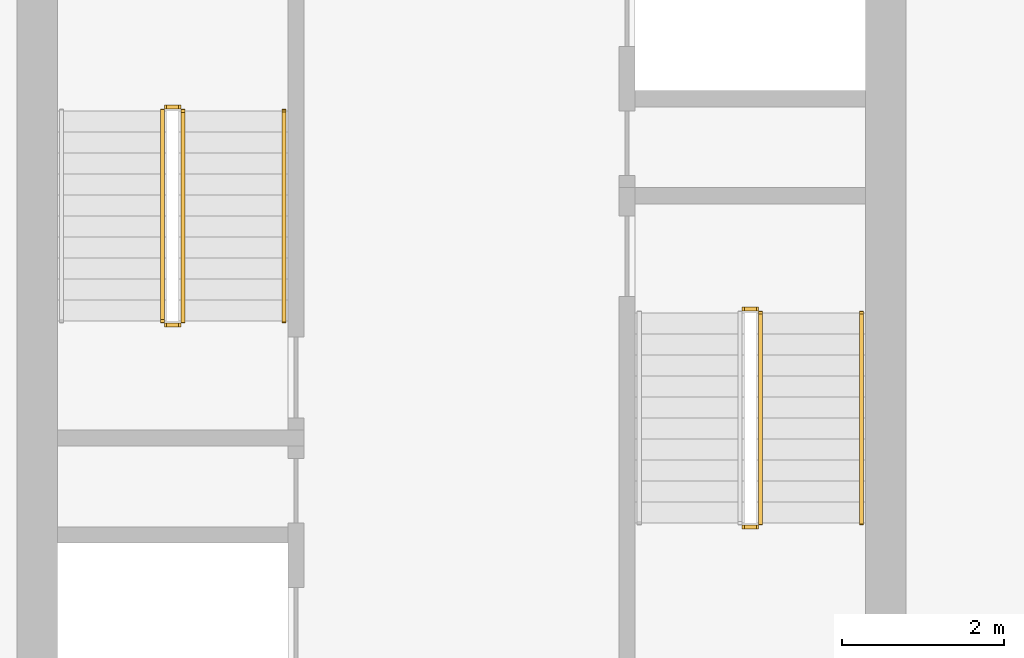
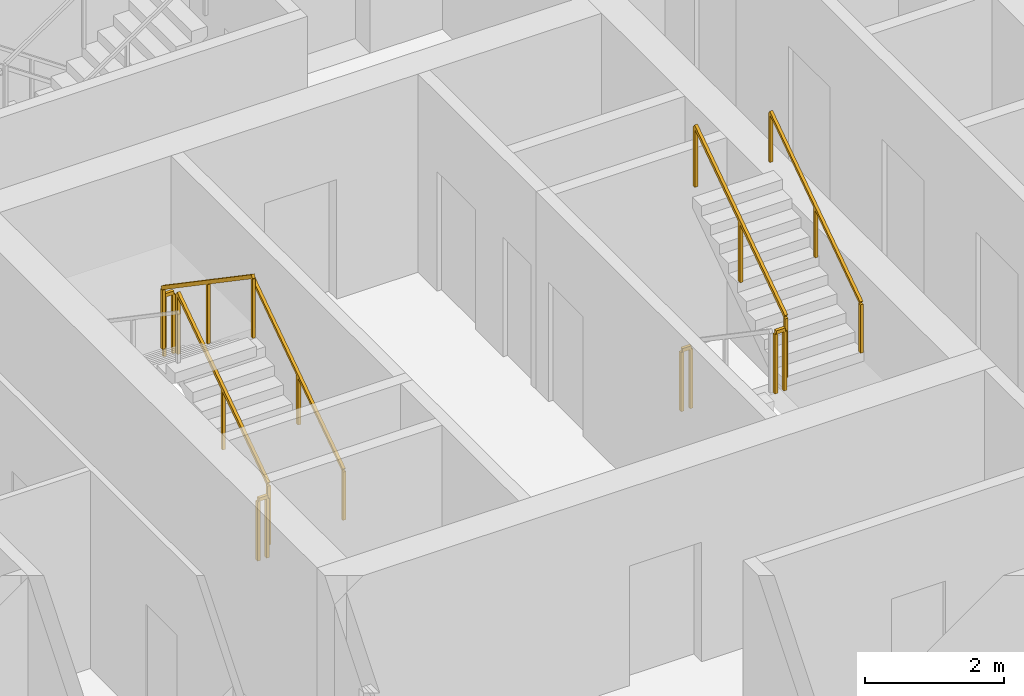
# One storey, part 13 of 16: 9 railings.
"""IFC4 building model written with IfcOpenShell, lengths in metres."""

from ifc_helpers import new_model, si_unit, direction, frame, origin, origin_2d, place, context, subcontext, project, spatial, rectangle, extrude, material, type_object, element, save


model = new_model("IFC4")

# Units and contexts
model_context = context("Model", 3, precision=1e-05, world=origin(), true_north=direction((0.0, 1.0)))
body_context = subcontext(model_context, "Body", "Model", "MODEL_VIEW")
ifc_project = project(units=[si_unit("LENGTHUNIT", "METRE"), si_unit("AREAUNIT", "SQUARE_METRE"), si_unit("VOLUMEUNIT", "CUBIC_METRE"), si_unit("PLANEANGLEUNIT", "RADIAN"), si_unit("MASSUNIT", "GRAM", prefix="KILO")], contexts=[model_context])

# Site, building, storey
site_placement = place(None, origin())
site = spatial("IfcSite", under=ifc_project, at=site_placement, CompositionType="ELEMENT")
building_placement = place(site_placement, origin())
building = spatial("IfcBuilding", under=site, at=building_placement, Name="Khepri Terraces", CompositionType="ELEMENT")
storey_placement = place(building_placement, frame((0.0, 0.0, 141.60009765625)))
storey = spatial("IfcBuildingStorey", under=building, at=storey_placement, Name="L33", CompositionType="ELEMENT", Elevation=141.60009765625)

# Railings
ifc_material = material(Name="Stainless steel 316", Category="steel")
railing_type_1 = type_object("IfcRailingType", Name="RL-CORE-GUARD", PredefinedType="GUARDRAIL", material=ifc_material)
railing_1_placement = place(storey_placement, frame((-3.449951171875, -0.050048828125, 0.17724609375)))
element("IfcRailing", 1, at=railing_1_placement, inside=storey, type_object=railing_type_1, Name="L33 ST-1 stair guard 1", PredefinedType="GUARDRAIL", context=body_context, shape_type="SweptSolid", body=[
    extrude(rectangle(XDim=0.050048828125, YDim=0.06005859375, at=origin_2d()), frame((0.0, 0.0, 1.070068359375), z_axis=(0.0, 0.826240473404, 0.563317565952), x_axis=(-1.0, 0.0, 0.0)), (0.0, 0.0, 1.0), 3.14697265625),
    extrude(rectangle(XDim=0.050048828125, YDim=0.050048828125, at=origin_2d()), origin(), (0.0, 0.0, 1.0), 1.0400390625),
    extrude(rectangle(XDim=0.050048828125, YDim=0.050048828125, at=origin_2d()), frame((0.0, 1.300048828125, 0.88623046875)), (0.0, 0.0, 1.0), 1.0400390625),
    extrude(rectangle(XDim=0.050048828125, YDim=0.050048828125, at=origin_2d()), frame((0.0, 2.60009765625, 1.772705078125)), (0.0, 0.0, 1.0), 1.0400390625),
])
railing_2_placement = place(storey_placement, frame((-3.5, 2.60009765625, 1.949951171875)))
element("IfcRailing", 2, at=railing_2_placement, inside=storey, type_object=railing_type_1, Name="L33 ST-1 stair guard 2", PredefinedType="GUARDRAIL", context=body_context, shape_type="SweptSolid", body=[
    extrude(rectangle(XDim=0.050048828125, YDim=0.06005859375, at=origin_2d()), frame((0.0, 0.0, 1.070068359375), z_axis=(-1.0, 0.0, 0.0), x_axis=(0.0, -1.0, 0.0)), (0.0, 0.0, 1.0), 0.14990234375),
    extrude(rectangle(XDim=0.050048828125, YDim=0.050048828125, at=origin_2d()), origin(), (0.0, 0.0, 1.0), 1.0400390625),
    extrude(rectangle(XDim=0.050048828125, YDim=0.050048828125, at=origin_2d()), frame((-0.14990234375, 0.0, 0.0)), (0.0, 0.0, 1.0), 1.0400390625),
])
railing_3_placement = place(storey_placement, frame((-3.699951171875, 2.550048828125, 2.127197265625)))
element("IfcRailing", 3, at=railing_3_placement, inside=storey, type_object=railing_type_1, Name="L33 ST-1 stair guard 3", PredefinedType="GUARDRAIL", context=body_context, shape_type="SweptSolid", body=[
    extrude(rectangle(XDim=0.050048828125, YDim=0.06005859375, at=origin_2d()), frame((0.0, 0.0, 1.070068359375), z_axis=(0.0, -0.826240473404, 0.563317565952), x_axis=(1.0, 0.0, 0.0)), (0.0, 0.0, 1.0), 3.14697265625),
    extrude(rectangle(XDim=0.050048828125, YDim=0.050048828125, at=origin_2d()), origin(), (0.0, 0.0, 1.0), 1.0400390625),
    extrude(rectangle(XDim=0.050048828125, YDim=0.050048828125, at=origin_2d()), frame((0.0, -1.300048828125, 0.88623046875)), (0.0, 0.0, 1.0), 1.0400390625),
    extrude(rectangle(XDim=0.050048828125, YDim=0.050048828125, at=origin_2d()), frame((0.0, -2.60009765625, 1.772705078125)), (0.0, 0.0, 1.0), 1.0400390625),
])
railing_4_placement = place(storey_placement, frame((-3.5, -0.10009765625, 0.0)))
element("IfcRailing", 4, at=railing_4_placement, inside=storey, type_object=railing_type_1, Name="L33 ST-1 stair guard 4", PredefinedType="GUARDRAIL", context=body_context, shape_type="SweptSolid", body=[
    extrude(rectangle(XDim=0.050048828125, YDim=0.06005859375, at=origin_2d()), frame((0.0, 0.0, 1.070068359375), z_axis=(-1.0, 0.0, 0.0), x_axis=(0.0, -1.0, 0.0)), (0.0, 0.0, 1.0), 0.14990234375),
    extrude(rectangle(XDim=0.050048828125, YDim=0.050048828125, at=origin_2d()), origin(), (0.0, 0.0, 1.0), 1.0400390625),
    extrude(rectangle(XDim=0.050048828125, YDim=0.050048828125, at=origin_2d()), frame((-0.14990234375, 0.0, 0.0)), (0.0, 0.0, 1.0), 1.0400390625),
])
railing_5_placement = place(storey_placement, frame((3.5, -2.60009765625, 1.949951171875)))
element("IfcRailing", 5, at=railing_5_placement, inside=storey, type_object=railing_type_1, Name="L33 ST-2 stair guard 2", PredefinedType="GUARDRAIL", context=body_context, shape_type="SweptSolid", body=[
    extrude(rectangle(XDim=0.050048828125, YDim=0.06005859375, at=origin_2d()), frame((0.0, 0.0, 1.070068359375), z_axis=(1.0, 0.0, 0.0), x_axis=(0.0, 1.0, 0.0)), (0.0, 0.0, 1.0), 0.14990234375),
    extrude(rectangle(XDim=0.050048828125, YDim=0.050048828125, at=origin_2d()), origin(), (0.0, 0.0, 1.0), 1.0400390625),
    extrude(rectangle(XDim=0.050048828125, YDim=0.050048828125, at=origin_2d()), frame((0.14990234375, 0.0, 0.0)), (0.0, 0.0, 1.0), 1.0400390625),
])
railing_6_placement = place(storey_placement, frame((3.699951171875, -2.550048828125, 2.127197265625)))
element("IfcRailing", 6, at=railing_6_placement, inside=storey, type_object=railing_type_1, Name="L33 ST-2 stair guard 3", PredefinedType="GUARDRAIL", context=body_context, shape_type="SweptSolid", body=[
    extrude(rectangle(XDim=0.050048828125, YDim=0.06005859375, at=origin_2d()), frame((0.0, 0.0, 1.070068359375), z_axis=(0.0, 0.826240473404, 0.563317565952), x_axis=(-1.0, 0.0, 0.0)), (0.0, 0.0, 1.0), 3.14697265625),
    extrude(rectangle(XDim=0.050048828125, YDim=0.050048828125, at=origin_2d()), origin(), (0.0, 0.0, 1.0), 1.0400390625),
    extrude(rectangle(XDim=0.050048828125, YDim=0.050048828125, at=origin_2d()), frame((0.0, 1.300048828125, 0.88623046875)), (0.0, 0.0, 1.0), 1.0400390625),
    extrude(rectangle(XDim=0.050048828125, YDim=0.050048828125, at=origin_2d()), frame((0.0, 2.60009765625, 1.772705078125)), (0.0, 0.0, 1.0), 1.0400390625),
])
railing_7_placement = place(storey_placement, frame((3.5, 0.10009765625, 0.0)))
element("IfcRailing", 7, at=railing_7_placement, inside=storey, type_object=railing_type_1, Name="L33 ST-2 stair guard 4", PredefinedType="GUARDRAIL", context=body_context, shape_type="SweptSolid", body=[
    extrude(rectangle(XDim=0.050048828125, YDim=0.06005859375, at=origin_2d()), frame((0.0, 0.0, 1.070068359375), z_axis=(1.0, 0.0, 0.0), x_axis=(0.0, 1.0, 0.0)), (0.0, 0.0, 1.0), 0.14990234375),
    extrude(rectangle(XDim=0.050048828125, YDim=0.050048828125, at=origin_2d()), origin(), (0.0, 0.0, 1.0), 1.0400390625),
    extrude(rectangle(XDim=0.050048828125, YDim=0.050048828125, at=origin_2d()), frame((0.14990234375, 0.0, 0.0)), (0.0, 0.0, 1.0), 1.0400390625),
])
railing_type_2 = type_object("IfcRailingType", Name="RL-CORE-HANDRAIL", PredefinedType="HANDRAIL", material=ifc_material)
for number, where, name in (
    (8, (-2.199951171875, -0.050048828125, 0.17724609375), "L33 ST-1 stair handrail 1"),
    (9, (4.949951171875, -2.550048828125, 2.127197265625), "L33 ST-2 stair handrail 2"),
):
    element("IfcRailing", number, at=place(storey_placement, frame(where)), inside=storey, type_object=railing_type_2, Name=name, PredefinedType="HANDRAIL", context=body_context, shape_type="SweptSolid", body=[
        extrude(rectangle(XDim=0.050048828125, YDim=0.050048828125, at=origin_2d()), frame((0.0, 0.0, 0.875), z_axis=(0.0, 0.826240473404, 0.563317565952), x_axis=(-1.0, 0.0, 0.0)), (0.0, 0.0, 1.0), 3.14697265625),
        extrude(rectangle(XDim=0.050048828125, YDim=0.050048828125, at=origin_2d()), origin(), (0.0, 0.0, 1.0), 0.849853515625),
        extrude(rectangle(XDim=0.050048828125, YDim=0.050048828125, at=origin_2d()), frame((0.0, 1.300048828125, 0.88623046875)), (0.0, 0.0, 1.0), 0.849853515625),
        extrude(rectangle(XDim=0.050048828125, YDim=0.050048828125, at=origin_2d()), frame((0.0, 2.60009765625, 1.772705078125)), (0.0, 0.0, 1.0), 0.849853515625),
    ])

save(model, "model.ifc")
